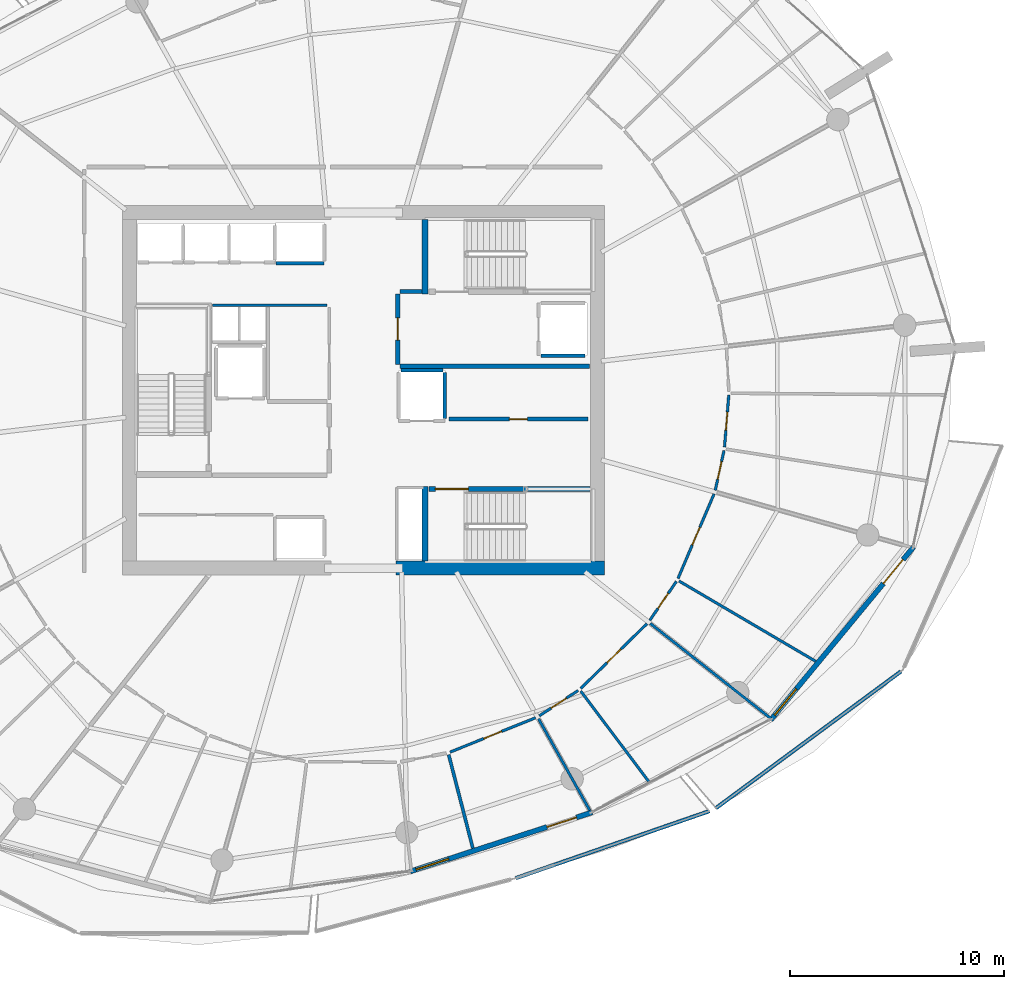
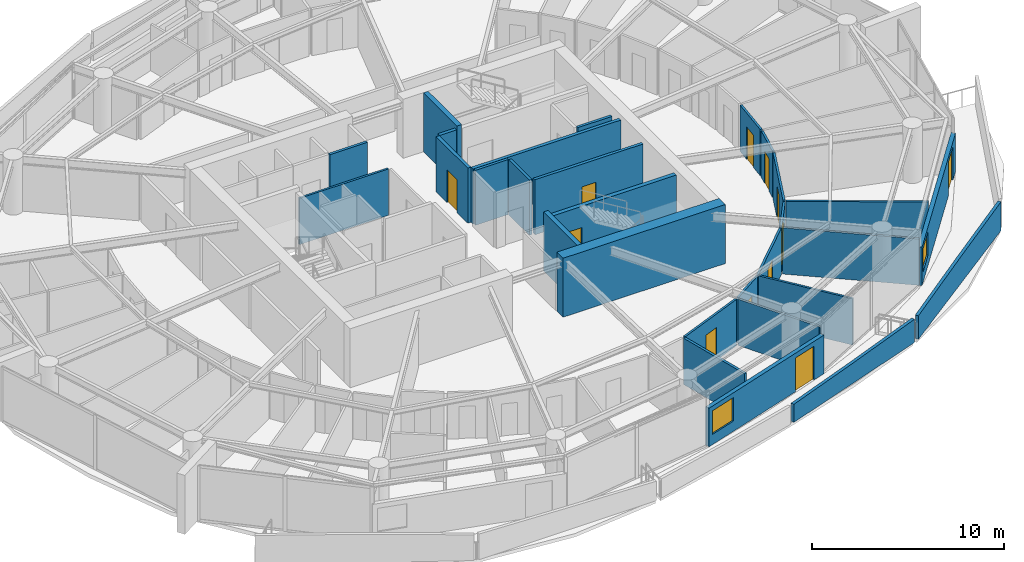
# One storey, part 13 of 21: 29 walls, 12 doors, 2 windows, 14 openings.
"""IFC4 building model written with IfcOpenShell, lengths in metres."""

from ifc_helpers import new_model, si_unit, direction, frame, frame_2d, origin, place, context, subcontext, project, spatial, polyline, rectangle, outline, extrude, material, layer, layer_set, type_object, element, fill, save


model = new_model("IFC4")

# Units and contexts
model_context = context("Model", 3, precision=1e-05, world=origin(), true_north=direction((0.0, 1.0)))
body_context = subcontext(model_context, "Body", "Model", "MODEL_VIEW")
ifc_project = project(units=[si_unit("LENGTHUNIT", "METRE"), si_unit("AREAUNIT", "SQUARE_METRE"), si_unit("VOLUMEUNIT", "CUBIC_METRE"), si_unit("PLANEANGLEUNIT", "RADIAN"), si_unit("MASSUNIT", "GRAM", prefix="KILO")], contexts=[model_context])

# Site, building, storey
site_placement = place(None, origin())
site = spatial("IfcSite", under=ifc_project, at=site_placement, CompositionType="ELEMENT")
building_placement = place(site_placement, origin())
building = spatial("IfcBuilding", under=site, at=building_placement, Name="Kazma Halo Residences", CompositionType="ELEMENT")
storey_placement = place(building_placement, frame((0.0, 0.0, 184.050048828125)))
storey = spatial("IfcBuildingStorey", under=building, at=storey_placement, Name="L46", CompositionType="ELEMENT", Elevation=184.050048828125)

# Walls
ifc_material_1 = material(Name="White Concrete C50/60 Balustrade", Category="concrete")
ifc_layer_1 = layer(ifc_material_1, 0.179931640625)
ifc_layer_set_1 = layer_set([ifc_layer_1], Name="White Concrete C50/60 Balustrade")
wall_type_1 = type_object("IfcWallType", Name="WL-BAL-WAVE-180", PredefinedType="PARAPET", material=ifc_layer_set_1)
wall_1_placement = place(storey_placement, frame((55.546630859375, 19.162353515625, 0.0), z_axis=(0.0, 0.0, 1.0), x_axis=(0.944943422405, 0.327233752007, 0.0)))
element("IfcWall", 1, at=wall_1_placement, inside=storey, type_object=wall_type_1, Name="L46 white wave balustrade wall SSE.2", PredefinedType="PARAPET", context=body_context, shape_type="SweptSolid", body=[
    extrude(outline(polyline([(0.0, 0.0), (9.597412109375, 0.0), (9.59765625, 1.48291015625), (4.798828125, 1.283935546875), (0.0, 1.14794921875), (0.0, 0.0)])), frame((0.0, 0.08984375, 0.0), z_axis=(0.0, -1.0, 0.0), x_axis=(1.0, 0.0, 0.0)), (0.0, 0.0, 1.0), 0.179931640625),
])
wall_2_placement = place(storey_placement, frame((64.914306640625, 22.439208984375, 0.0), z_axis=(0.0, 0.0, 1.0), x_axis=(0.804266043661, 0.594269409454, 0.0)))
element("IfcWall", 2, at=wall_2_placement, inside=storey, type_object=wall_type_1, Name="L46 white wave balustrade wall SE.1", PredefinedType="PARAPET", context=body_context, shape_type="SweptSolid", body=[
    extrude(outline(polyline([(0.0, 0.0), (10.7783203125, 0.0), (10.7783203125, 1.83203125), (5.38916015625, 1.696044921875), (0.0, 1.4970703125), (0.0, 0.0)])), frame((0.0, 0.08984375, 0.0), z_axis=(0.0, -1.0, 0.0), x_axis=(1.0, 0.0, 0.0)), (0.0, 0.0, 1.0), 0.179931640625),
])
ifc_material_2 = material(Name="Concrete C60/75", Category="concrete")
ifc_layer_2 = layer(ifc_material_2, 0.64990234375)
ifc_layer_set_2 = layer_set([ifc_layer_2], Name="Concrete C60/75")
wall_type_2 = type_object("IfcWallType", Name="WL-CORE-650", PredefinedType="SHEAR", material=ifc_layer_set_2)
wall_3_placement = place(storey_placement, frame((49.949951171875, 33.675048828125, 0.0), z_axis=(0.0, 0.0, 1.0), x_axis=(1.0, 0.0, 0.0)))
element("IfcWall", 3, at=wall_3_placement, inside=storey, type_object=wall_type_2, Name="L46 central core shear wall SE", PredefinedType="SHEAR", context=body_context, shape_type="SweptSolid", body=[
    extrude(rectangle(XDim=9.75, YDim=0.64990234375, at=frame_2d((4.875, 0.0))), origin(), (0.0, 0.0, 1.0), 3.75),
])
ifc_layer_3 = layer(ifc_material_2, 0.280029296875)
ifc_layer_set_3 = layer_set([ifc_layer_3], Name="Concrete C60/75")
wall_type_3 = type_object("IfcWallType", Name="WL-CORE-ST-280", PredefinedType="SHEAR", material=ifc_layer_set_3)
for number, where, z_axis, x_axis, name in (
    (4, (51.31005859375, 46.5, 0.0), (0.0, 0.0, 1.0), (0.0, 1.0, 0.0), "L46 stairwell bearing wall ST02-W"),
    (5, (51.31005859375, 34.0, 0.0), (0.0, 0.0, 1.0), (0.0, 1.0, 0.0), "L46 stairwell bearing wall ST03-W"),
):
    element("IfcWall", number, at=place(storey_placement, frame(where, z_axis=z_axis, x_axis=x_axis)), inside=storey, type_object=wall_type_3, Name=name, PredefinedType="SHEAR", context=body_context, shape_type="SweptSolid", body=[
        extrude(rectangle(XDim=3.5, YDim=0.280029296875, at=frame_2d((1.75, 0.0))), origin(), (0.0, 0.0, 1.0), 3.75),
    ])

# Wall, openings, door, window
ifc_material_3 = material(Name="Insulated Pale-Metal Composite Wall")
ifc_layer_4 = layer(ifc_material_3, 0.239990234375)
ifc_layer_set_4 = layer_set([ifc_layer_4], Name="Insulated Pale-Metal Composite Wall")
wall_type_4 = type_object("IfcWallType", Name="WL-EXT-HOST-240", PredefinedType="SOLIDWALL", material=ifc_layer_set_4)
wall_4_placement = place(storey_placement, frame((50.61572265625, 19.481201171875, 0.0), z_axis=(0.0, 0.0, 1.0), x_axis=(0.951058543936, 0.309010753869, 0.0)))
wall_4 = element("IfcWall", 6, at=wall_4_placement, inside=storey, type_object=wall_type_4, Name="L46 exterior terrace-access wall B12", PredefinedType="SOLIDWALL", context=body_context, shape_type="SweptSolid", body=[
    extrude(rectangle(XDim=8.942138671875, YDim=0.239990234375, at=frame_2d((4.47119140625, 0.0))), origin(), (0.0, 0.0, 1.0), 2.449951171875),
])
opening_1_placement = place(wall_4_placement, frame((6.721923828125, 0.0, 0.0)))
opening_1 = element("IfcOpeningElement", 7, at=opening_1_placement, cuts=wall_4, Name="Opening DTR-1600", PredefinedType="OPENING", context=body_context, shape_type="SweptSolid", body=[
    extrude(rectangle(XDim=1.449951171875, YDim=2.14990234375, at=frame_2d((0.72509765625, 1.074951171875))), frame((0.0, 0.1298828125, 0.0), z_axis=(0.0, -1.0, 0.0), x_axis=(1.0, 0.0, 0.0)), (0.0, 0.0, 1.0), 0.260009765625),
])
opening_2_placement = place(wall_4_placement, frame((0.280029296875, 0.0, 0.64990234375)))
opening_2 = element("IfcOpeningElement", 8, at=opening_2_placement, cuts=wall_4, Name="Opening W-1800", PredefinedType="OPENING", context=body_context, shape_type="SweptSolid", body=[
    extrude(rectangle(XDim=1.60009765625, YDim=1.5, at=frame_2d((0.800048828125, 0.75))), frame((0.0, 0.1298828125, 0.0), z_axis=(0.0, -1.0, 0.0), x_axis=(1.0, 0.0, 0.0)), (0.0, 0.0, 1.0), 0.260009765625),
])
ifc_material_4 = material(Name="Aluminium AW-6063 T6 Double-Glazed Terrace Door", Category="aluminium")
door_type_1 = type_object("IfcDoorType", Name="DR-EXT-TERR-1600", OperationType="NOTDEFINED", PredefinedType="DOOR", material=ifc_material_4)
door_1_placement = place(opening_1_placement, origin())
door_1 = element("IfcDoor", 9, at=door_1_placement, inside=storey, type_object=door_type_1, Name="L46 B12 balcony terrace door", OperationType="DOUBLE_DOOR_SLIDING", OverallHeight=2.14990234375, OverallWidth=1.449951171875, PredefinedType="DOOR", context=body_context, shape_type="SweptSolid", body=[
    extrude(rectangle(XDim=1.449951171875, YDim=2.14990234375, at=frame_2d((0.72509765625, 1.074951171875))), frame((0.0, 0.02490234375, 0.0), z_axis=(0.0, -1.0, 0.0), x_axis=(1.0, 0.0, 0.0)), (0.0, 0.0, 1.0), 0.050048828125),
])
fill(opening_1, door_1)
ifc_material_5 = material(Name="Clear Triple-Silver Low-E Glass in Aluminium AW-6063 T6 Frame", Category="aluminium")
window_type = type_object("IfcWindowType", Name="WIN-RES-1800", PartitioningType="DOUBLE_PANEL_VERTICAL", PredefinedType="WINDOW", material=ifc_material_5)
window_1_placement = place(opening_2_placement, origin())
window_1 = element("IfcWindow", 10, at=window_1_placement, inside=storey, type_object=window_type, Name="L46 B12 apartment window", OverallHeight=1.5, OverallWidth=1.60009765625, PartitioningType="SINGLE_PANEL", PredefinedType="WINDOW", context=body_context, shape_type="SweptSolid", body=[
    extrude(rectangle(XDim=1.60009765625, YDim=1.5, at=frame_2d((0.800048828125, 0.75))), frame((0.0, 0.030029296875, 0.0), z_axis=(0.0, -1.0, 0.0), x_axis=(1.0, 0.0, 0.0)), (0.0, 0.0, 1.0), 0.06005859375),
])
fill(opening_2, window_1)

wall_5_placement = place(storey_placement, frame((67.485107421875, 26.57568359375, 0.0), z_axis=(0.0, 0.0, 1.0), x_axis=(0.636759394418, 0.771062561418, 0.0)))
wall_5 = element("IfcWall", 11, at=wall_5_placement, inside=storey, type_object=wall_type_4, Name="L46 exterior terrace-access wall B14", PredefinedType="SOLIDWALL", context=body_context, shape_type="SweptSolid", body=[
    extrude(rectangle(XDim=10.494384765625, YDim=0.239990234375, at=frame_2d((5.2470703125, 0.0))), origin(), (0.0, 0.0, 1.0), 2.449951171875),
])
opening_3_placement = place(wall_5_placement, frame((8.2744140625, 0.0, 0.0)))
opening_3 = element("IfcOpeningElement", 12, at=opening_3_placement, cuts=wall_5, Name="Opening DTR-1600", PredefinedType="OPENING", context=body_context, shape_type="SweptSolid", body=[
    extrude(rectangle(XDim=1.449951171875, YDim=2.14990234375, at=frame_2d((0.72509765625, 1.074951171875))), frame((0.0, 0.1298828125, 0.0), z_axis=(0.0, -1.0, 0.0), x_axis=(1.0, 0.0, 0.0)), (0.0, 0.0, 1.0), 0.260009765625),
])
opening_4_placement = place(wall_5_placement, frame((0.280029296875, 0.0, 0.64990234375)))
opening_4 = element("IfcOpeningElement", 13, at=opening_4_placement, cuts=wall_5, Name="Opening W-1800", PredefinedType="OPENING", context=body_context, shape_type="SweptSolid", body=[
    extrude(rectangle(XDim=1.60009765625, YDim=1.5, at=frame_2d((0.800048828125, 0.75))), frame((0.0, 0.1298828125, 0.0), z_axis=(0.0, -1.0, 0.0), x_axis=(1.0, 0.0, 0.0)), (0.0, 0.0, 1.0), 0.260009765625),
])
door_2_placement = place(opening_3_placement, origin())
door_2 = element("IfcDoor", 14, at=door_2_placement, inside=storey, type_object=door_type_1, Name="L46 B14 balcony terrace door", OperationType="DOUBLE_DOOR_SLIDING", OverallHeight=2.14990234375, OverallWidth=1.449951171875, PredefinedType="DOOR", context=body_context, shape_type="SweptSolid", body=[
    extrude(rectangle(XDim=1.449951171875, YDim=2.14990234375, at=frame_2d((0.72509765625, 1.074951171875))), frame((0.0, 0.02490234375, 0.0), z_axis=(0.0, -1.0, 0.0), x_axis=(1.0, 0.0, 0.0)), (0.0, 0.0, 1.0), 0.050048828125),
])
fill(opening_3, door_2)
window_2_placement = place(opening_4_placement, origin())
window_2 = element("IfcWindow", 15, at=window_2_placement, inside=storey, type_object=window_type, Name="L46 B14 apartment window", OverallHeight=1.5, OverallWidth=1.60009765625, PartitioningType="SINGLE_PANEL", PredefinedType="WINDOW", context=body_context, shape_type="SweptSolid", body=[
    extrude(rectangle(XDim=1.60009765625, YDim=1.5, at=frame_2d((0.800048828125, 0.75))), frame((0.0, 0.030029296875, 0.0), z_axis=(0.0, -1.0, 0.0), x_axis=(1.0, 0.0, 0.0)), (0.0, 0.0, 1.0), 0.06005859375),
])
fill(opening_4, window_2)

# Walls
ifc_material_6 = material(Name="Fire-Rated Blockwork Masonry", Category="masonry")
ifc_layer_5 = layer(ifc_material_6, 0.199951171875)
ifc_layer_set_5 = layer_set([ifc_layer_5], Name="Fire-Rated Blockwork Masonry")
wall_type_5 = type_object("IfcWallType", Name="WL-FLB-200", PredefinedType="PARTITIONING", material=ifc_layer_set_5)
wall_6_placement = place(storey_placement, frame((46.580078125, 47.945068359375, 0.0), z_axis=(0.0, 0.0, 1.0), x_axis=(-1.0, 0.0, 0.0)))
element("IfcWall", 16, at=wall_6_placement, inside=storey, type_object=wall_type_5, Name="L46 lift shaft PX-01 front wall", PredefinedType="PARTITIONING", context=body_context, shape_type="SweptSolid", body=[
    extrude(rectangle(XDim=2.260009765625, YDim=0.159912109375, at=frame_2d((1.1298828125, 0.0))), origin(), (0.0, 0.0, 1.0), 3.5),
])
wall_7_placement = place(storey_placement, frame((56.719970703125, 43.6201171875, 0.0), z_axis=(0.0, 0.0, 1.0), x_axis=(1.0, 0.0, 0.0)))
element("IfcWall", 17, at=wall_7_placement, inside=storey, type_object=wall_type_5, Name="L46 lift shaft FL-02 side wall S", PredefinedType="PARTITIONING", context=body_context, shape_type="SweptSolid", body=[
    extrude(rectangle(XDim=2.06005859375, YDim=0.159912109375, at=frame_2d((1.030029296875, 0.0))), origin(), (0.0, 0.0, 1.0), 3.5),
])
wall_8_placement = place(storey_placement, frame((52.22998046875, 40.669921875, 0.0), z_axis=(0.0, 0.0, 1.0), x_axis=(0.0, 1.0, 0.0)))
element("IfcWall", 18, at=wall_8_placement, inside=storey, type_object=wall_type_5, Name="L46 lift shaft SV-01 side wall E", PredefinedType="PARTITIONING", context=body_context, shape_type="SweptSolid", body=[
    extrude(rectangle(XDim=2.16015625, YDim=0.159912109375, at=frame_2d((1.080078125, 0.0))), origin(), (0.0, 0.0, 1.0), 3.5),
])
wall_9_placement = place(storey_placement, frame((50.169921875, 42.929931640625, 0.0), z_axis=(0.0, 0.0, 1.0), x_axis=(1.0, 0.0, 0.0)))
element("IfcWall", 19, at=wall_9_placement, inside=storey, type_object=wall_type_5, Name="L46 lift shaft SV-01 side wall N", PredefinedType="PARTITIONING", context=body_context, shape_type="SweptSolid", body=[
    extrude(rectangle(XDim=1.9599609375, YDim=0.159912109375, at=frame_2d((0.97998046875, 0.0))), origin(), (0.0, 0.0, 1.0), 3.5),
])

# Wall, opening, door
wall_10_placement = place(storey_placement, frame((52.419921875, 40.64990234375, 0.0), z_axis=(0.0, 0.0, 1.0), x_axis=(1.0, 0.0, 0.0)))
wall_10 = element("IfcWall", 20, at=wall_10_placement, inside=storey, type_object=wall_type_5, Name="L46 core east reserve wall", PredefinedType="PARTITIONING", context=body_context, shape_type="SweptSolid", body=[
    extrude(rectangle(XDim=6.5, YDim=0.179931640625, at=frame_2d((3.25, 0.0))), origin(), (0.0, 0.0, 1.0), 3.5),
])
opening_5_placement = place(wall_10_placement, frame((2.824951171875, 0.0, 0.0)))
opening_5 = element("IfcOpeningElement", 21, at=opening_5_placement, cuts=wall_10, Name="Opening DS-850", PredefinedType="OPENING", context=body_context, shape_type="SweptSolid", body=[
    extrude(rectangle(XDim=0.85009765625, YDim=2.06005859375, at=frame_2d((0.425048828125, 1.030029296875))), frame((0.0, 0.099853515625, 0.0), z_axis=(0.0, -1.0, 0.0), x_axis=(1.0, 0.0, 0.0)), (0.0, 0.0, 1.0), 0.199951171875),
])
ifc_material_7 = material(Name="Painted Steel Access Leaf", Category="steel")
door_type_2 = type_object("IfcDoorType", Name="DR-SVC-850", OperationType="NOTDEFINED", PredefinedType="DOOR", material=ifc_material_7)
door_3_placement = place(opening_5_placement, origin())
door_3 = element("IfcDoor", 22, at=door_3_placement, inside=storey, type_object=door_type_2, Name="L46 core east reserve door", OperationType="SINGLE_SWING_LEFT", OverallHeight=2.06005859375, OverallWidth=0.85009765625, PredefinedType="DOOR", context=body_context, shape_type="SweptSolid", body=[
    extrude(rectangle(XDim=0.85009765625, YDim=2.06005859375, at=frame_2d((0.425048828125, 1.030029296875))), frame((0.0, 0.02490234375, 0.0), z_axis=(0.0, -1.0, 0.0), x_axis=(1.0, 0.0, 0.0)), (0.0, 0.0, 1.0), 0.050048828125),
])
fill(opening_5, door_3)

# Walls
wall_11_placement = place(storey_placement, frame((50.1201171875, 43.1201171875, 0.0), z_axis=(0.0, 0.0, 1.0), x_axis=(1.0, 0.0, 0.0)))
element("IfcWall", 23, at=wall_11_placement, inside=storey, type_object=wall_type_5, Name="L46 east firefighting lobby south smoke wall", PredefinedType="PARTITIONING", context=body_context, shape_type="SweptSolid", body=[
    extrude(rectangle(XDim=8.8798828125, YDim=0.199951171875, at=frame_2d((4.43994140625, 0.0))), origin(), (0.0, 0.0, 1.0), 3.5),
])
wall_12_placement = place(storey_placement, frame((50.139892578125, 46.6201171875, 0.0), z_axis=(0.0, 0.0, 1.0), x_axis=(1.0, 0.0, 0.0)))
element("IfcWall", 24, at=wall_12_placement, inside=storey, type_object=wall_type_5, Name="L46 east firefighting lobby north closure wall", PredefinedType="PARTITIONING", context=body_context, shape_type="SweptSolid", body=[
    extrude(rectangle(XDim=1.02001953125, YDim=0.199951171875, at=frame_2d((0.510009765625, 0.0))), origin(), (0.0, 0.0, 1.0), 3.5),
])

# Wall, opening, door
wall_13_placement = place(storey_placement, frame((50.02001953125, 43.219970703125, 0.0), z_axis=(0.0, 0.0, 1.0), x_axis=(0.0, 1.0, 0.0)))
wall_13 = element("IfcWall", 25, at=wall_13_placement, inside=storey, type_object=wall_type_5, Name="L46 east firefighting lobby smoke wall", PredefinedType="PARTITIONING", context=body_context, shape_type="SweptSolid", body=[
    extrude(rectangle(XDim=3.300048828125, YDim=0.199951171875, at=frame_2d((1.64990234375, 0.0))), origin(), (0.0, 0.0, 1.0), 3.5),
])
opening_6_placement = place(wall_13_placement, frame((1.125, 0.0, 0.0)))
opening_6 = element("IfcOpeningElement", 26, at=opening_6_placement, cuts=wall_13, Name="Opening D-FLE", PredefinedType="OPENING", context=body_context, shape_type="SweptSolid", body=[
    extrude(rectangle(XDim=1.050048828125, YDim=2.10009765625, at=frame_2d((0.52490234375, 1.050048828125))), frame((0.0, 0.10986328125, 0.0), z_axis=(0.0, -1.0, 0.0), x_axis=(1.0, 0.0, 0.0)), (0.0, 0.0, 1.0), 0.219970703125),
])
ifc_material_8 = material(Name="Fire-Rated Steel Leaf", Category="steel")
door_type_3 = type_object("IfcDoorType", Name="DR-FD90-1050", OperationType="NOTDEFINED", PredefinedType="DOOR", material=ifc_material_8)
door_4_placement = place(opening_6_placement, origin())
door_4 = element("IfcDoor", 27, at=door_4_placement, inside=storey, type_object=door_type_3, Name="L46 east firefighting lobby smoke door", OperationType="SINGLE_SWING_RIGHT", OverallHeight=2.10009765625, OverallWidth=1.050048828125, PredefinedType="DOOR", context=body_context, shape_type="SweptSolid", body=[
    extrude(rectangle(XDim=1.050048828125, YDim=2.10009765625, at=frame_2d((0.52490234375, 1.050048828125))), frame((0.0, 0.02490234375, 0.0), z_axis=(0.0, -1.0, 0.0), x_axis=(1.0, 0.0, 0.0)), (0.0, 0.0, 1.0), 0.050048828125),
])
fill(opening_6, door_4)

# Wall
ifc_material_9 = material(Name="Gypsum Plasterboard Partition")
ifc_layer_6 = layer(ifc_material_9, 0.125)
ifc_layer_set_6 = layer_set([ifc_layer_6], Name="Gypsum Plasterboard Partition")
wall_type_6 = type_object("IfcWallType", Name="WL-PART-125", PredefinedType="PARTITIONING", material=ifc_layer_set_6)
wall_14_placement = place(storey_placement, frame((41.360107421875, 45.97998046875, 0.0), z_axis=(0.0, 0.0, 1.0), x_axis=(1.0, 0.0, 0.0)))
element("IfcWall", 28, at=wall_14_placement, inside=storey, type_object=wall_type_6, Name="L46 core north riser wall", PredefinedType="PARTITIONING", context=body_context, shape_type="SweptSolid", body=[
    extrude(rectangle(XDim=5.35986328125, YDim=0.125, at=frame_2d((2.679931640625, 0.0))), origin(), (0.0, 0.0, 1.0), 2.93994140625),
])

# Wall, opening, door
wall_15_placement = place(storey_placement, frame((52.468994140625, 25.06396484375, 0.0), z_axis=(0.0, 0.0, 1.0), x_axis=(0.928030941282, 0.372503116796, 0.0)))
wall_15 = element("IfcWall", 29, at=wall_15_placement, inside=storey, type_object=wall_type_6, Name="L46 Apartment 3 West Master Bedroom hall wall", PredefinedType="PARTITIONING", context=body_context, shape_type="SweptSolid", body=[
    extrude(rectangle(XDim=4.3125, YDim=0.125, at=frame_2d((2.15625, 0.0))), origin(), (0.0, 0.0, 1.0), 2.93994140625),
])
opening_7_placement = place(wall_15_placement, frame((1.706298828125, 0.0, 0.0)))
opening_7 = element("IfcOpeningElement", 30, at=opening_7_placement, cuts=wall_15, Name="Opening DI-950", PredefinedType="OPENING", context=body_context, shape_type="SweptSolid", body=[
    extrude(rectangle(XDim=0.89990234375, YDim=2.080078125, at=frame_2d((0.449951171875, 1.0400390625))), frame((0.0, 0.072509765625, 0.0), z_axis=(0.0, -1.0, 0.0), x_axis=(1.0, 0.0, 0.0)), (0.0, 0.0, 1.0), 0.14501953125),
])
ifc_material_10 = material(Name="Timber Veneer Flush Leaf", Category="wood")
door_type_4 = type_object("IfcDoorType", Name="DR-INT-950", OperationType="NOTDEFINED", PredefinedType="DOOR", material=ifc_material_10)
door_5_placement = place(opening_7_placement, origin())
door_5 = element("IfcDoor", 31, at=door_5_placement, inside=storey, type_object=door_type_4, Name="L46 Apartment 3 West Master Bedroom door", OperationType="SINGLE_SWING_RIGHT", OverallHeight=2.080078125, OverallWidth=0.89990234375, PredefinedType="DOOR", context=body_context, shape_type="SweptSolid", body=[
    extrude(rectangle(XDim=0.89990234375, YDim=2.080078125, at=frame_2d((0.449951171875, 1.0400390625))), frame((0.0, 0.02490234375, 0.0), z_axis=(0.0, -1.0, 0.0), x_axis=(1.0, 0.0, 0.0)), (0.0, 0.0, 1.0), 0.050048828125),
])
fill(opening_7, door_5)

# Walls
wall_16_placement = place(storey_placement, frame((56.613037109375, 26.62060546875, 0.0), z_axis=(0.0, 0.0, 1.0), x_axis=(0.488583679293, -0.872517041856, 0.0)))
element("IfcWall", 32, at=wall_16_placement, inside=storey, type_object=wall_type_6, Name="L46 Apartment 3 radial partition 12", PredefinedType="PARTITIONING", context=body_context, shape_type="SweptSolid", body=[
    extrude(rectangle(XDim=4.908447265625, YDim=0.125, at=frame_2d((2.4541015625, 0.0))), origin(), (0.0, 0.0, 1.0), 2.93994140625),
])
wall_17_placement = place(storey_placement, frame((58.588623046875, 27.92041015625, 0.0), z_axis=(0.0, 0.0, 1.0), x_axis=(0.601049014417, -0.799212163489, 0.0)))
element("IfcWall", 33, at=wall_17_placement, inside=storey, type_object=wall_type_6, Name="L46 Apartment 3 mid-bay wall 12", PredefinedType="PARTITIONING", context=body_context, shape_type="SweptSolid", body=[
    extrude(rectangle(XDim=5.322265625, YDim=0.125, at=frame_2d((2.6611328125, 0.0))), origin(), (0.0, 0.0, 1.0), 2.93994140625),
])

# Wall, opening, door
wall_18_placement = place(storey_placement, frame((56.64794921875, 26.762451171875, 0.0), z_axis=(0.0, 0.0, 1.0), x_axis=(0.837746976104, 0.546058608602, 0.0)))
wall_18 = element("IfcWall", 34, at=wall_18_placement, inside=storey, type_object=wall_type_6, Name="L46 Apartment 3 North Bedroom hall wall", PredefinedType="PARTITIONING", context=body_context, shape_type="SweptSolid", body=[
    extrude(rectangle(XDim=2.171875, YDim=0.125, at=frame_2d((1.0859375, 0.0))), origin(), (0.0, 0.0, 1.0), 2.93994140625),
])
opening_8_placement = place(wall_18_placement, frame((0.6611328125, 0.0, 0.0)))
opening_8 = element("IfcOpeningElement", 35, at=opening_8_placement, cuts=wall_18, Name="Opening DB-900", PredefinedType="OPENING", context=body_context, shape_type="SweptSolid", body=[
    extrude(rectangle(XDim=0.85009765625, YDim=2.06005859375, at=frame_2d((0.425048828125, 1.030029296875))), frame((0.0, 0.072509765625, 0.0), z_axis=(0.0, -1.0, 0.0), x_axis=(1.0, 0.0, 0.0)), (0.0, 0.0, 1.0), 0.14501953125),
])
ifc_material_11 = material(Name="Moisture-Sealed Timber Leaf", Category="wood")
door_type_5 = type_object("IfcDoorType", Name="DR-BTH-900", OperationType="NOTDEFINED", PredefinedType="DOOR", material=ifc_material_11)
door_6_placement = place(opening_8_placement, origin())
door_6 = element("IfcDoor", 36, at=door_6_placement, inside=storey, type_object=door_type_5, Name="L46 Apartment 3 North Bedroom door", OperationType="SINGLE_SWING_LEFT", OverallHeight=2.06005859375, OverallWidth=0.85009765625, PredefinedType="DOOR", context=body_context, shape_type="SweptSolid", body=[
    extrude(rectangle(XDim=0.85009765625, YDim=2.06005859375, at=frame_2d((0.425048828125, 1.030029296875))), frame((0.0, 0.02490234375, 0.0), z_axis=(0.0, -1.0, 0.0), x_axis=(1.0, 0.0, 0.0)), (0.0, 0.0, 1.0), 0.050048828125),
])
fill(opening_8, door_6)

wall_19_placement = place(storey_placement, frame((58.591796875, 28.048095703125, 0.0), z_axis=(0.0, 0.0, 1.0), x_axis=(0.715112359848, 0.699009522677, 0.0)))
wall_19 = element("IfcWall", 37, at=wall_19_placement, inside=storey, type_object=wall_type_6, Name="L46 Apartment 3 South Bedroom hall wall", PredefinedType="PARTITIONING", context=body_context, shape_type="SweptSolid", body=[
    extrude(rectangle(XDim=4.336181640625, YDim=0.125, at=frame_2d((2.16796875, 0.0))), origin(), (0.0, 0.0, 1.0), 2.93994140625),
])
opening_9_placement = place(wall_19_placement, frame((1.718017578125, 0.0, 0.0)))
opening_9 = element("IfcOpeningElement", 38, at=opening_9_placement, cuts=wall_19, Name="Opening DI-950", PredefinedType="OPENING", context=body_context, shape_type="SweptSolid", body=[
    extrude(rectangle(XDim=0.89990234375, YDim=2.080078125, at=frame_2d((0.449951171875, 1.0400390625))), frame((0.0, 0.072509765625, 0.0), z_axis=(0.0, -1.0, 0.0), x_axis=(1.0, 0.0, 0.0)), (0.0, 0.0, 1.0), 0.14501953125),
])
door_7_placement = place(opening_9_placement, origin())
door_7 = element("IfcDoor", 39, at=door_7_placement, inside=storey, type_object=door_type_4, Name="L46 Apartment 3 South Bedroom door", OperationType="SINGLE_SWING_RIGHT", OverallHeight=2.080078125, OverallWidth=0.89990234375, PredefinedType="DOOR", context=body_context, shape_type="SweptSolid", body=[
    extrude(rectangle(XDim=0.89990234375, YDim=2.080078125, at=frame_2d((0.449951171875, 1.0400390625))), frame((0.0, 0.02490234375, 0.0), z_axis=(0.0, -1.0, 0.0), x_axis=(1.0, 0.0, 0.0)), (0.0, 0.0, 1.0), 0.050048828125),
])
fill(opening_9, door_7)

# Walls
wall_20_placement = place(storey_placement, frame((61.8427734375, 31.087158203125, 0.0), z_axis=(0.0, 0.0, 1.0), x_axis=(0.785327813677, -0.619080144299, 0.0)))
element("IfcWall", 40, at=wall_20_placement, inside=storey, type_object=wall_type_6, Name="L46 Apartment 3 radial partition 13", PredefinedType="PARTITIONING", context=body_context, shape_type="SweptSolid", body=[
    extrude(rectangle(XDim=7.2001953125, YDim=0.125, at=frame_2d((3.60009765625, 0.0))), origin(), (0.0, 0.0, 1.0), 2.93994140625),
])
wall_21_placement = place(storey_placement, frame((63.188232421875, 33.073974609375, 0.0), z_axis=(0.0, 0.0, 1.0), x_axis=(0.862139654636, -0.506670717433, 0.0)))
element("IfcWall", 41, at=wall_21_placement, inside=storey, type_object=wall_type_6, Name="L46 Apartment 3 mid-bay wall 13", PredefinedType="PARTITIONING", context=body_context, shape_type="SweptSolid", body=[
    extrude(rectangle(XDim=7.4208984375, YDim=0.125, at=frame_2d((3.71044921875, 0.0))), origin(), (0.0, 0.0, 1.0), 2.93994140625),
])

# Wall, opening, door
wall_22_placement = place(storey_placement, frame((61.820556640625, 31.231689453125, 0.0), z_axis=(0.0, 0.0, 1.0), x_axis=(0.56426341076, 0.82559481786, 0.0)))
wall_22 = element("IfcWall", 42, at=wall_22_placement, inside=storey, type_object=wall_type_6, Name="L46 Apartment 3 Inner Private Study hall wall", PredefinedType="PARTITIONING", context=body_context, shape_type="SweptSolid", body=[
    extrude(rectangle(XDim=2.20654296875, YDim=0.125, at=frame_2d((1.103271484375, 0.0))), origin(), (0.0, 0.0, 1.0), 2.93994140625),
])
opening_10_placement = place(wall_22_placement, frame((0.67822265625, 0.0, 0.0)))
opening_10 = element("IfcOpeningElement", 43, at=opening_10_placement, cuts=wall_22, Name="Opening DB-900", PredefinedType="OPENING", context=body_context, shape_type="SweptSolid", body=[
    extrude(rectangle(XDim=0.85009765625, YDim=2.06005859375, at=frame_2d((0.425048828125, 1.030029296875))), frame((0.0, 0.072509765625, 0.0), z_axis=(0.0, -1.0, 0.0), x_axis=(1.0, 0.0, 0.0)), (0.0, 0.0, 1.0), 0.14501953125),
])
door_8_placement = place(opening_10_placement, origin())
door_8 = element("IfcDoor", 44, at=door_8_placement, inside=storey, type_object=door_type_5, Name="L46 Apartment 3 Inner Private Study door", OperationType="SINGLE_SWING_RIGHT", OverallHeight=2.06005859375, OverallWidth=0.85009765625, PredefinedType="DOOR", context=body_context, shape_type="SweptSolid", body=[
    extrude(rectangle(XDim=0.85009765625, YDim=2.06005859375, at=frame_2d((0.425048828125, 1.030029296875))), frame((0.0, 0.02490234375, 0.0), z_axis=(0.0, -1.0, 0.0), x_axis=(1.0, 0.0, 0.0)), (0.0, 0.0, 1.0), 0.050048828125),
])
fill(opening_10, door_8)

wall_23_placement = place(storey_placement, frame((63.14208984375, 33.193115234375, 0.0), z_axis=(0.0, 0.0, 1.0), x_axis=(0.392302335844, 0.919836331796, 0.0)))
wall_23 = element("IfcWall", 45, at=wall_23_placement, inside=storey, type_object=wall_type_6, Name="L46 Apartment 3 Outer Master Bedroom hall wall", PredefinedType="PARTITIONING", context=body_context, shape_type="SweptSolid", body=[
    extrude(rectangle(XDim=4.30224609375, YDim=0.125, at=frame_2d((2.151123046875, 0.0))), origin(), (0.0, 0.0, 1.0), 2.93994140625),
])
opening_11_placement = place(wall_23_placement, frame((1.701171875, 0.0, 0.0)))
opening_11 = element("IfcOpeningElement", 46, at=opening_11_placement, cuts=wall_23, Name="Opening DI-950", PredefinedType="OPENING", context=body_context, shape_type="SweptSolid", body=[
    extrude(rectangle(XDim=0.89990234375, YDim=2.080078125, at=frame_2d((0.449951171875, 1.0400390625))), frame((0.0, 0.072509765625, 0.0), z_axis=(0.0, -1.0, 0.0), x_axis=(1.0, 0.0, 0.0)), (0.0, 0.0, 1.0), 0.14501953125),
])
door_9_placement = place(opening_11_placement, origin())
door_9 = element("IfcDoor", 47, at=door_9_placement, inside=storey, type_object=door_type_4, Name="L46 Apartment 3 Outer Master Bedroom door", OperationType="SINGLE_SWING_LEFT", OverallHeight=2.080078125, OverallWidth=0.89990234375, PredefinedType="DOOR", context=body_context, shape_type="SweptSolid", body=[
    extrude(rectangle(XDim=0.89990234375, YDim=2.080078125, at=frame_2d((0.449951171875, 1.0400390625))), frame((0.0, 0.02490234375, 0.0), z_axis=(0.0, -1.0, 0.0), x_axis=(1.0, 0.0, 0.0)), (0.0, 0.0, 1.0), 0.050048828125),
])
fill(opening_11, door_9)

wall_24_placement = place(storey_placement, frame((64.885986328125, 37.320556640625, 0.0), z_axis=(0.0, 0.0, 1.0), x_axis=(0.214404311004, 0.976744998156, 0.0)))
wall_24 = element("IfcWall", 48, at=wall_24_placement, inside=storey, type_object=wall_type_6, Name="L46 Apartment 3 Corner Bedroom hall wall", PredefinedType="PARTITIONING", context=body_context, shape_type="SweptSolid", body=[
    extrude(rectangle(XDim=1.90380859375, YDim=0.125, at=frame_2d((0.951904296875, 0.0))), origin(), (0.0, 0.0, 1.0), 2.93994140625),
])
opening_12_placement = place(wall_24_placement, frame((0.52685546875, 0.0, 0.0)))
opening_12 = element("IfcOpeningElement", 49, at=opening_12_placement, cuts=wall_24, Name="Opening DB-900", PredefinedType="OPENING", context=body_context, shape_type="SweptSolid", body=[
    extrude(rectangle(XDim=0.85009765625, YDim=2.06005859375, at=frame_2d((0.425048828125, 1.030029296875))), frame((0.0, 0.072509765625, 0.0), z_axis=(0.0, -1.0, 0.0), x_axis=(1.0, 0.0, 0.0)), (0.0, 0.0, 1.0), 0.14501953125),
])
door_10_placement = place(opening_12_placement, origin())
door_10 = element("IfcDoor", 50, at=door_10_placement, inside=storey, type_object=door_type_5, Name="L46 Apartment 3 Corner Bedroom door", OperationType="SINGLE_SWING_RIGHT", OverallHeight=2.06005859375, OverallWidth=0.85009765625, PredefinedType="DOOR", context=body_context, shape_type="SweptSolid", body=[
    extrude(rectangle(XDim=0.85009765625, YDim=2.06005859375, at=frame_2d((0.425048828125, 1.030029296875))), frame((0.0, 0.02490234375, 0.0), z_axis=(0.0, -1.0, 0.0), x_axis=(1.0, 0.0, 0.0)), (0.0, 0.0, 1.0), 0.050048828125),
])
fill(opening_12, door_10)

wall_25_placement = place(storey_placement, frame((65.31787109375, 39.337890625, 0.0), z_axis=(0.0, 0.0, 1.0), x_axis=(0.082403040097, 0.996599086385, 0.0)))
wall_25 = element("IfcWall", 51, at=wall_25_placement, inside=storey, type_object=wall_type_6, Name="L46 Apartment 3 Garden Study hall wall", PredefinedType="PARTITIONING", context=body_context, shape_type="SweptSolid", body=[
    extrude(rectangle(XDim=2.453125, YDim=0.125, at=frame_2d((1.2265625, 0.0))), origin(), (0.0, 0.0, 1.0), 2.93994140625),
])
opening_13_placement = place(wall_25_placement, frame((0.801513671875, 0.0, 0.0)))
opening_13 = element("IfcOpeningElement", 52, at=opening_13_placement, cuts=wall_25, Name="Opening DB-900", PredefinedType="OPENING", context=body_context, shape_type="SweptSolid", body=[
    extrude(rectangle(XDim=0.85009765625, YDim=2.06005859375, at=frame_2d((0.425048828125, 1.030029296875))), frame((0.0, 0.072509765625, 0.0), z_axis=(0.0, -1.0, 0.0), x_axis=(1.0, 0.0, 0.0)), (0.0, 0.0, 1.0), 0.14501953125),
])
door_11_placement = place(opening_13_placement, origin())
door_11 = element("IfcDoor", 53, at=door_11_placement, inside=storey, type_object=door_type_5, Name="L46 Apartment 3 Garden Study door", OperationType="SINGLE_SWING_LEFT", OverallHeight=2.06005859375, OverallWidth=0.85009765625, PredefinedType="DOOR", context=body_context, shape_type="SweptSolid", body=[
    extrude(rectangle(XDim=0.85009765625, YDim=2.06005859375, at=frame_2d((0.425048828125, 1.030029296875))), frame((0.0, 0.02490234375, 0.0), z_axis=(0.0, -1.0, 0.0), x_axis=(1.0, 0.0, 0.0)), (0.0, 0.0, 1.0), 0.050048828125),
])
fill(opening_13, door_11)

ifc_material_12 = material(Name="Concrete C50/60", Category="concrete")
ifc_layer_7 = layer(ifc_material_12, 0.25)
ifc_layer_set_7 = layer_set([ifc_layer_7], Name="Concrete C50/60")
wall_type_7 = type_object("IfcWallType", Name="WL-SHF-250", PredefinedType="SOLIDWALL", material=ifc_layer_set_7)
wall_26_placement = place(storey_placement, frame((51.47998046875, 37.3798828125, 0.0), z_axis=(0.0, 0.0, 1.0), x_axis=(1.0, 0.0, 0.0)))
wall_26 = element("IfcWall", 54, at=wall_26_placement, inside=storey, type_object=wall_type_7, Name="L46 exit stair ST-03 enclosure wall", PredefinedType="SOLIDWALL", context=body_context, shape_type="SweptSolid", body=[
    extrude(rectangle(XDim=7.5400390625, YDim=0.25, at=frame_2d((3.77001953125, 0.0))), origin(), (0.0, 0.0, 1.0), 3.5),
])
opening_14_placement = place(wall_26_placement, frame((0.300048828125, 0.0, 0.0)))
opening_14 = element("IfcOpeningElement", 55, at=opening_14_placement, cuts=wall_26, Name="Opening D-ST3", PredefinedType="OPENING", context=body_context, shape_type="SweptSolid", body=[
    extrude(rectangle(XDim=1.550048828125, YDim=2.14990234375, at=frame_2d((0.77490234375, 1.074951171875))), frame((0.0, 0.135009765625, 0.0), z_axis=(0.0, -1.0, 0.0), x_axis=(1.0, 0.0, 0.0)), (0.0, 0.0, 1.0), 0.27001953125),
])
ifc_material_13 = material(Name="Fire-Rated Double Steel Leaf", Category="steel")
door_type_6 = type_object("IfcDoorType", Name="DR-FD90-1550", OperationType="NOTDEFINED", PredefinedType="DOOR", material=ifc_material_13)
door_12_placement = place(opening_14_placement, origin())
door_12 = element("IfcDoor", 56, at=door_12_placement, inside=storey, type_object=door_type_6, Name="L46 exit stair ST-03 fire door", OperationType="DOUBLE_DOOR_SINGLE_SWING", OverallHeight=2.14990234375, OverallWidth=1.550048828125, PredefinedType="DOOR", context=body_context, shape_type="SweptSolid", body=[
    extrude(rectangle(XDim=1.550048828125, YDim=2.14990234375, at=frame_2d((0.77490234375, 1.074951171875))), frame((0.0, 0.02490234375, 0.0), z_axis=(0.0, -1.0, 0.0), x_axis=(1.0, 0.0, 0.0)), (0.0, 0.0, 1.0), 0.050048828125),
])
fill(opening_14, door_12)

# Wall
ifc_material_14 = material(Name="Moisture-Resistant Gypsum")
ifc_layer_8 = layer(ifc_material_14, 0.14990234375)
ifc_layer_set_8 = layer_set([ifc_layer_8], Name="Moisture-Resistant Gypsum")
wall_type_8 = type_object("IfcWallType", Name="WL-WET-150", PredefinedType="PARTITIONING", material=ifc_layer_set_8)
wall_27_placement = place(storey_placement, frame((52.407958984375, 24.943359375, 0.0), z_axis=(0.0, 0.0, 1.0), x_axis=(0.250196217184, -0.968195152284, 0.0)))
element("IfcWall", 57, at=wall_27_placement, inside=storey, type_object=wall_type_8, Name="L46 Apartment 3 East En-Suite Bathroom side wall", PredefinedType="PARTITIONING", context=body_context, shape_type="SweptSolid", body=[
    extrude(rectangle(XDim=4.524658203125, YDim=0.14990234375, at=frame_2d((2.26220703125, 0.0))), origin(), (0.0, 0.0, 1.0), 2.93994140625),
])

save(model, "model.ifc")
